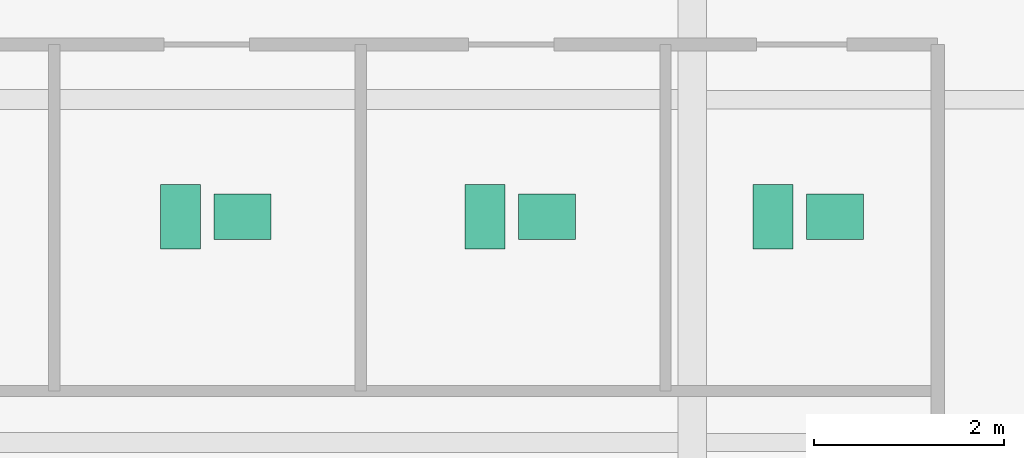
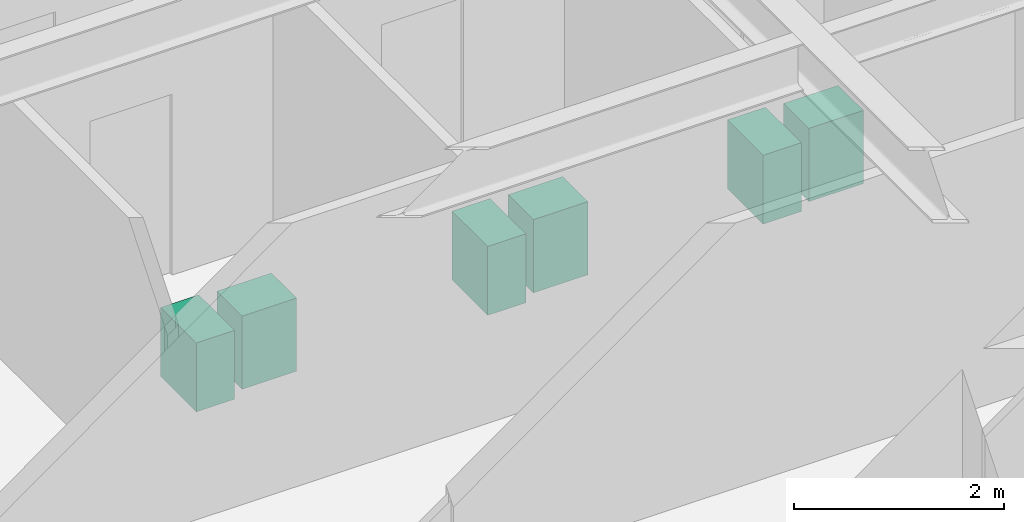
# One storey, part 30 of 30: 6 sanitary terminals.
"""IFC4 building model written with IfcOpenShell, lengths in metres."""

from ifc_helpers import new_model, si_unit, direction, frame, origin, origin_2d, place, context, subcontext, project, spatial, rectangle, extrude, source, transform, mapped, material, type_object, type_shapes, element, save


model = new_model("IFC4")

# Units and contexts
model_context = context("Model", 3, precision=1e-05, world=origin(), true_north=direction((0.0, 1.0)))
body_context = subcontext(model_context, "Body", "Model", "MODEL_VIEW")
ifc_project = project(units=[si_unit("LENGTHUNIT", "METRE"), si_unit("AREAUNIT", "SQUARE_METRE"), si_unit("VOLUMEUNIT", "CUBIC_METRE"), si_unit("PLANEANGLEUNIT", "RADIAN"), si_unit("MASSUNIT", "GRAM", prefix="KILO")], contexts=[model_context])

# Site, building, storey
site_placement = place(None, origin())
site = spatial("IfcSite", under=ifc_project, at=site_placement, CompositionType="ELEMENT")
building_placement = place(site_placement, origin())
building = spatial("IfcBuilding", under=site, at=building_placement, Name="Krantzveldt Concourse Tower", CompositionType="ELEMENT")
storey_placement = place(building_placement, frame((0.0, 0.0, 52.64990234375)))
storey = spatial("IfcBuildingStorey", under=building, at=storey_placement, Name="L12", CompositionType="ELEMENT", Elevation=52.64990234375)

# Sanitary terminals
ifc_material = material(Name="Vitreous china", Category="ceramic")
sanitary_terminal_type_1 = type_object("IfcSanitaryTerminalType", Name="SAN-WC-SUITE", PredefinedType="TOILETPAN", material=ifc_material)
shared_shape_1 = source(origin(), body_context, "Body", "SweptSolid", [
    extrude(rectangle(XDim=0.419921875, YDim=0.679931640625, at=origin_2d()), origin(), (0.0, 0.0, 1.0), 0.800048828125),
])
type_shapes(sanitary_terminal_type_1, [shared_shape_1])
for number, where, z_axis, x_axis, name in (
    (1, (36.02490234375, 32.570068359375, 0.0), (0.0, 0.0, 1.0), (1.0, 0.0, 0.0), "WC-SP-L12-WCM"),
    (2, (39.22509765625, 32.570068359375, 0.0), (0.0, 0.0, 1.0), (1.0, 0.0, 0.0), "WC-SP-L12-WCF"),
    (3, (42.25, 32.570068359375, 0.0), (0.0, 0.0, 1.0), (1.0, 0.0, 0.0), "WC-SP-L12-WCA"),
):
    element("IfcSanitaryTerminal", number, at=place(storey_placement, frame(where, z_axis=z_axis, x_axis=x_axis)), inside=storey, type_object=sanitary_terminal_type_1, Name=name, PredefinedType="TOILETPAN", context=body_context, shape_type="MappedRepresentation", body=[
        mapped(shared_shape_1, transform((0.0, 0.0, 0.0), x_axis=(1.0, 0.0, 0.0), y_axis=(0.0, 1.0, 0.0), z_axis=(0.0, 0.0, 1.0), scale=1.0)),
    ])
sanitary_terminal_type_2 = type_object("IfcSanitaryTerminalType", Name="SAN-BASIN-600", PredefinedType="WASHHANDBASIN", material=ifc_material)
shared_shape_2 = source(origin(), body_context, "Body", "SweptSolid", [
    extrude(rectangle(XDim=0.60009765625, YDim=0.47998046875, at=origin_2d()), origin(), (0.0, 0.0, 1.0), 0.85009765625),
])
type_shapes(sanitary_terminal_type_2, [shared_shape_2])
for number, where, z_axis, x_axis, name in (
    (4, (36.675048828125, 32.570068359375, 0.005126953125), (0.0, 0.0, 1.0), (1.0, 0.0, 0.0), "BSN-SP-L12-WCM"),
    (5, (39.875, 32.570068359375, 0.005126953125), (0.0, 0.0, 1.0), (1.0, 0.0, 0.0), "BSN-SP-L12-WCF"),
    (6, (42.89990234375, 32.570068359375, 0.005126953125), (0.0, 0.0, 1.0), (1.0, 0.0, 0.0), "BSN-SP-L12-WCA"),
):
    element("IfcSanitaryTerminal", number, at=place(storey_placement, frame(where, z_axis=z_axis, x_axis=x_axis)), inside=storey, type_object=sanitary_terminal_type_2, Name=name, PredefinedType="WASHHANDBASIN", context=body_context, shape_type="MappedRepresentation", body=[
        mapped(shared_shape_2, transform((0.0, 0.0, 0.0), x_axis=(1.0, 0.0, 0.0), y_axis=(0.0, 1.0, 0.0), z_axis=(0.0, 0.0, 1.0), scale=1.0)),
    ])

save(model, "model.ifc")
